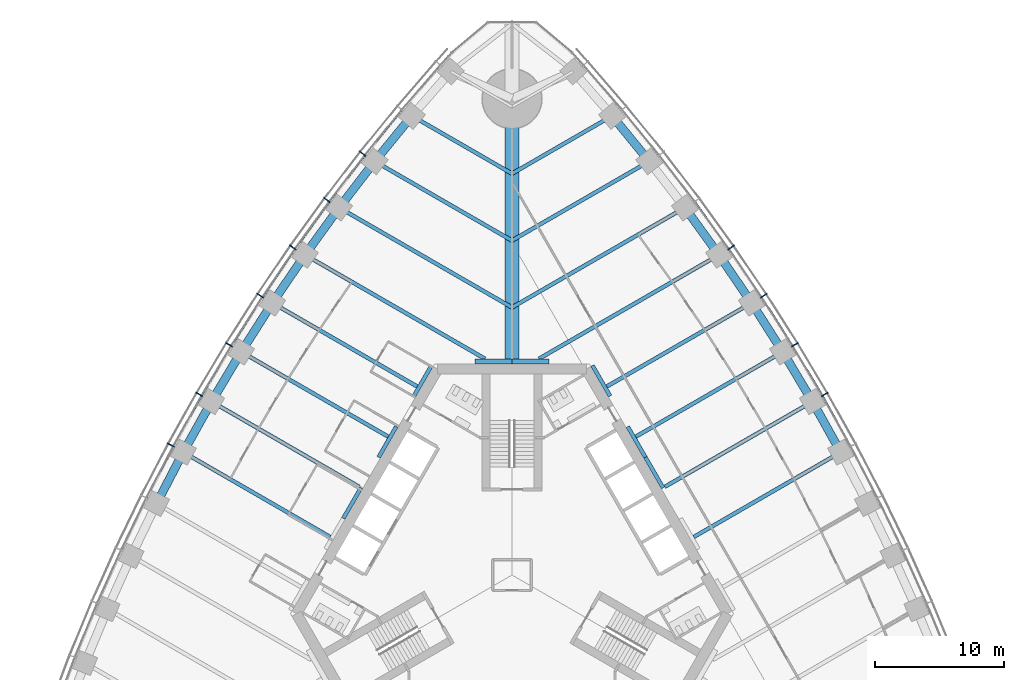
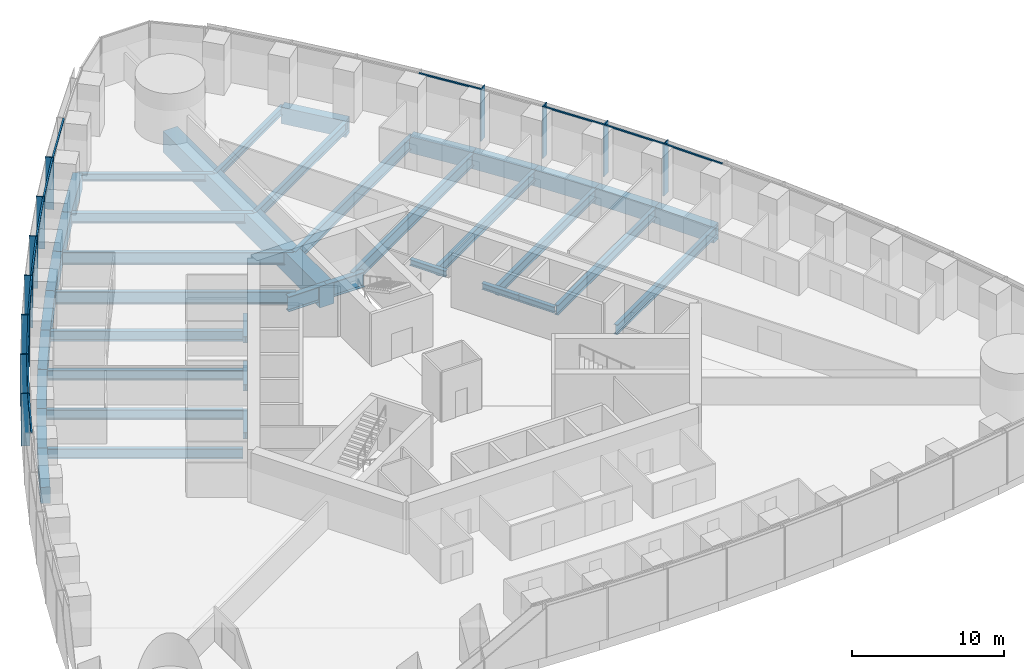
# One storey, part 4 of 18: 39 beams, 23 members, 2 elements without a shape of their own.
"""IFC4 building model written with IfcOpenShell, lengths in metres."""

from ifc_helpers import new_model, si_unit, direction, frame, origin, origin_2d, place, context, subcontext, project, spatial, rectangle, i_section, extrude, material, material_profile, profile_set, type_object, element, aggregate, save


model = new_model("IFC4")

# Units and contexts
model_context = context("Model", 3, precision=1e-05, world=origin(), true_north=direction((0.0, 1.0)))
body_context = subcontext(model_context, "Body", "Model", "MODEL_VIEW")
ifc_project = project(units=[si_unit("LENGTHUNIT", "METRE"), si_unit("AREAUNIT", "SQUARE_METRE"), si_unit("VOLUMEUNIT", "CUBIC_METRE"), si_unit("PLANEANGLEUNIT", "RADIAN"), si_unit("MASSUNIT", "GRAM", prefix="KILO")], contexts=[model_context])

# Site, building, storey
site_placement = place(None, origin())
site = spatial("IfcSite", under=ifc_project, at=site_placement, CompositionType="ELEMENT")
building_placement = place(site_placement, origin())
building = spatial("IfcBuilding", under=site, at=building_placement, Name="Trefoil Bronze Tower", CompositionType="ELEMENT")
storey_placement = place(building_placement, frame((0.0, 0.0, 41.699951171875)))
storey = spatial("IfcBuildingStorey", under=building, at=storey_placement, Name="L09", CompositionType="ELEMENT", Elevation=41.699951171875)

# Curtain wall, members
ifc_material_1 = material(Name="Tinted solar-control glass", Category="glass")
curtain_wall_type = type_object("IfcCurtainWallType", Name="Bronze office curtain wall", PredefinedType="USERDEFINED", material=ifc_material_1)
curtain_wall_1_placement = place(storey_placement, origin())
curtain_wall_1 = element("IfcCurtainWall", 1, at=curtain_wall_1_placement, inside=storey, type_object=curtain_wall_type, Name="CW-A L09 F2", ObjectType="CURTAIN WALL", PredefinedType="USERDEFINED")
ifc_material_2 = material(Name="Bronze-finish aluminium", Category="aluminium")
ifc_material_profile_1 = material_profile(ifc_material_2, rectangle(XDim=0.60009765625, YDim=0.080078125, at=origin_2d()), Name="CW-A mullion")
ifc_profile_set_1 = profile_set([ifc_material_profile_1], Name="Bronze-finish aluminium")
member_type_1 = type_object("IfcMemberType", Name="Bronze office curtain wall mullion", PredefinedType="MULLION", material=ifc_profile_set_1)
member_1_placement = place(storey_placement, frame((24.291015625, 14.0244140625, 0.0), z_axis=(0.0, 0.0, 1.0), x_axis=(-0.866025403784, -0.5, 0.0)))
member_1 = element("IfcMember", 2, at=member_1_placement, type_object=member_type_1, Name="CW-A L09 F2 mullion 9", PredefinedType="MULLION", context=body_context, shape_type="SweptSolid", body=[
    extrude(rectangle(XDim=0.60009765625, YDim=0.080078125, at=origin_2d()), origin(), (0.0, 0.0, 1.0), 4.179931640625),
])
member_2_placement = place(storey_placement, frame((21.97998046875, 17.896240234375, 0.0), z_axis=(0.0, 0.0, 1.0), x_axis=(-0.851149783004, -0.524922896141, 0.0)))
member_2 = element("IfcMember", 3, at=member_2_placement, type_object=member_type_1, Name="CW-A L09 F2 mullion 10", PredefinedType="MULLION", context=body_context, shape_type="SweptSolid", body=[
    extrude(rectangle(XDim=0.60009765625, YDim=0.080078125, at=origin_2d()), origin(), (0.0, 0.0, 1.0), 4.179931640625),
])
member_3_placement = place(storey_placement, frame((19.555419921875, 21.70263671875, 0.0), z_axis=(0.0, 0.0, 1.0), x_axis=(-0.835543651684, -0.549424067665, 0.0)))
member_3 = element("IfcMember", 4, at=member_3_placement, type_object=member_type_1, Name="CW-A L09 F2 mullion 11", PredefinedType="MULLION", context=body_context, shape_type="SweptSolid", body=[
    extrude(rectangle(XDim=0.60009765625, YDim=0.080078125, at=origin_2d()), origin(), (0.0, 0.0, 1.0), 4.179931640625),
])
member_4_placement = place(storey_placement, frame((17.01708984375, 25.443359375, 0.0), z_axis=(0.0, 0.0, 1.0), x_axis=(-0.819204207116, -0.573501932903, 0.0)))
member_4 = element("IfcMember", 5, at=member_4_placement, type_object=member_type_1, Name="CW-A L09 F2 mullion 12", PredefinedType="MULLION", context=body_context, shape_type="SweptSolid", body=[
    extrude(rectangle(XDim=0.60009765625, YDim=0.080078125, at=origin_2d()), origin(), (0.0, 0.0, 1.0), 4.179931640625),
])

curtain_wall_2_placement = place(storey_placement, origin())
curtain_wall_2 = element("IfcCurtainWall", 6, at=curtain_wall_2_placement, inside=storey, type_object=curtain_wall_type, Name="CW-A L09 F3", ObjectType="CURTAIN WALL", PredefinedType="USERDEFINED")
member_5_placement = place(storey_placement, frame((-11.595458984375, 32.7255859375, 0.0), z_axis=(0.0, 0.0, 1.0), x_axis=(0.784304615744, -0.620375910011, 0.0)))
member_5 = element("IfcMember", 7, at=member_5_placement, type_object=member_type_1, Name="CW-A L09 F3 mullion 4", PredefinedType="MULLION", context=body_context, shape_type="SweptSolid", body=[
    extrude(rectangle(XDim=0.60009765625, YDim=0.080078125, at=origin_2d()), origin(), (0.0, 0.0, 1.0), 4.179931640625),
])
member_6_placement = place(storey_placement, frame((-14.364013671875, 29.117919921875, 0.0), z_axis=(0.0, 0.0, 1.0), x_axis=(0.802126748469, -0.59715381552, 0.0)))
member_6 = element("IfcMember", 8, at=member_6_placement, type_object=member_type_1, Name="CW-A L09 F3 mullion 5", PredefinedType="MULLION", context=body_context, shape_type="SweptSolid", body=[
    extrude(rectangle(XDim=0.60009765625, YDim=0.080078125, at=origin_2d()), origin(), (0.0, 0.0, 1.0), 4.179931640625),
])
member_7_placement = place(storey_placement, frame((-17.01708984375, 25.443359375, 0.0), z_axis=(0.0, 0.0, 1.0), x_axis=(0.819204207116, -0.573501932903, 0.0)))
member_7 = element("IfcMember", 9, at=member_7_placement, type_object=member_type_1, Name="CW-A L09 F3 mullion 6", PredefinedType="MULLION", context=body_context, shape_type="SweptSolid", body=[
    extrude(rectangle(XDim=0.60009765625, YDim=0.080078125, at=origin_2d()), origin(), (0.0, 0.0, 1.0), 4.179931640625),
])
member_8_placement = place(storey_placement, frame((-19.555419921875, 21.70263671875, 0.0), z_axis=(0.0, 0.0, 1.0), x_axis=(0.835543651684, -0.549424067665, 0.0)))
member_8 = element("IfcMember", 10, at=member_8_placement, type_object=member_type_1, Name="CW-A L09 F3 mullion 7", PredefinedType="MULLION", context=body_context, shape_type="SweptSolid", body=[
    extrude(rectangle(XDim=0.60009765625, YDim=0.080078125, at=origin_2d()), origin(), (0.0, 0.0, 1.0), 4.179931640625),
])
member_9_placement = place(storey_placement, frame((-21.97998046875, 17.896240234375, 0.0), z_axis=(0.0, 0.0, 1.0), x_axis=(0.851149783004, -0.524922896141, 0.0)))
member_9 = element("IfcMember", 11, at=member_9_placement, type_object=member_type_1, Name="CW-A L09 F3 mullion 8", PredefinedType="MULLION", context=body_context, shape_type="SweptSolid", body=[
    extrude(rectangle(XDim=0.60009765625, YDim=0.080078125, at=origin_2d()), origin(), (0.0, 0.0, 1.0), 4.179931640625),
])
member_10_placement = place(storey_placement, frame((-24.291015625, 14.0244140625, 0.0), z_axis=(0.0, 0.0, 1.0), x_axis=(0.866025403784, -0.5, 0.0)))
member_10 = element("IfcMember", 12, at=member_10_placement, type_object=member_type_1, Name="CW-A L09 F3 mullion 9", PredefinedType="MULLION", context=body_context, shape_type="SweptSolid", body=[
    extrude(rectangle(XDim=0.60009765625, YDim=0.080078125, at=origin_2d()), origin(), (0.0, 0.0, 1.0), 4.179931640625),
])
member_11_placement = place(storey_placement, frame((-26.488525390625, 10.0869140625, 0.0), z_axis=(0.0, 0.0, 1.0), x_axis=(0.880171454588, -0.474655886437, 0.0)))
member_11 = element("IfcMember", 13, at=member_11_placement, type_object=member_type_1, Name="CW-A L09 F3 mullion 10", PredefinedType="MULLION", context=body_context, shape_type="SweptSolid", body=[
    extrude(rectangle(XDim=0.60009765625, YDim=0.080078125, at=origin_2d()), origin(), (0.0, 0.0, 1.0), 4.179931640625),
])

# Member
ifc_material_3 = material(Name="Bronze-finish aluminium", Category="aluminium")
ifc_material_profile_2 = material_profile(ifc_material_3, rectangle(XDim=0.1201171875, YDim=0.10009765625, at=origin_2d()), Name="CW-A transom")
ifc_profile_set_2 = profile_set([ifc_material_profile_2], Name="Bronze-finish aluminium")
member_type_2 = type_object("IfcMemberType", Name="Bronze office curtain wall transom", PredefinedType="USERDEFINED", material=ifc_profile_set_2)
member_12_placement = place(storey_placement, frame((26.29248046875, 10.0283203125, 4.130126953125), z_axis=(-0.487400435348, 0.873178570295, 0.0), x_axis=(-0.873178570295, -0.487400435348, 0.0)))
member_12 = element("IfcMember", 14, at=member_12_placement, type_object=member_type_2, Name="CW-A L09 F2 transom 8", ObjectType="TRANSOM", PredefinedType="USERDEFINED", context=body_context, shape_type="SweptSolid", body=[
    extrude(rectangle(XDim=0.1201171875, YDim=0.10009765625, at=origin_2d()), origin(), (0.0, 0.0, 1.0), 4.42041015625),
])

member_13_placement = place(storey_placement, frame((24.096435546875, 13.9599609375, 4.130126953125), z_axis=(-0.512536988879, 0.858665147209, 0.0), x_axis=(-0.858665147209, -0.512536988879, 0.0)))
member_13 = element("IfcMember", 15, at=member_13_placement, type_object=member_type_2, Name="CW-A L09 F2 transom 9", ObjectType="TRANSOM", PredefinedType="USERDEFINED", context=body_context, shape_type="SweptSolid", body=[
    extrude(rectangle(XDim=0.1201171875, YDim=0.10009765625, at=origin_2d()), origin(), (0.0, 0.0, 1.0), 4.42041015625),
])

member_14_placement = place(storey_placement, frame((21.787353515625, 17.826171875, 4.130126953125), z_axis=(-0.537196807268, 0.843456928515, 0.0), x_axis=(-0.843456928515, -0.537196807268, 0.0)))
member_14 = element("IfcMember", 16, at=member_14_placement, type_object=member_type_2, Name="CW-A L09 F2 transom 10", ObjectType="TRANSOM", PredefinedType="USERDEFINED", context=body_context, shape_type="SweptSolid", body=[
    extrude(rectangle(XDim=0.1201171875, YDim=0.10009765625, at=origin_2d()), origin(), (0.0, 0.0, 1.0), 4.42431640625),
])

member_15_placement = place(storey_placement, frame((16.828857421875, 25.3623046875, 4.130126953125), z_axis=(-0.585378207433, 0.81076035563, 0.0), x_axis=(-0.81076035563, -0.585378207433, 0.0)))
member_15 = element("IfcMember", 17, at=member_15_placement, type_object=member_type_2, Name="CW-A L09 F2 transom 12", ObjectType="TRANSOM", PredefinedType="USERDEFINED", context=body_context, shape_type="SweptSolid", body=[
    extrude(rectangle(XDim=0.1201171875, YDim=0.10009765625, at=origin_2d()), origin(), (0.0, 0.0, 1.0), 4.443359375),
])

aggregate(curtain_wall_1, [member_1, member_2, member_3, member_4, member_12, member_13, member_14, member_15])

member_16_placement = place(storey_placement, frame((-8.582763671875, 36.10498046875, 4.130126953125), z_axis=(-0.631835540201, -0.775102477185, 0.0), x_axis=(0.775102477185, -0.631835540201, 0.0)))
member_16 = element("IfcMember", 18, at=member_16_placement, type_object=member_type_2, Name="CW-A L09 F3 transom 3", ObjectType="TRANSOM", PredefinedType="USERDEFINED", context=body_context, shape_type="SweptSolid", body=[
    extrude(rectangle(XDim=0.1201171875, YDim=0.10009765625, at=origin_2d()), origin(), (0.0, 0.0, 1.0), 4.478271484375),
])

member_17_placement = place(storey_placement, frame((-11.4638671875, 32.568603515625, 4.130126953125), z_axis=(-0.608829203216, -0.793301330713, 0.0), x_axis=(0.793301330713, -0.608829203216, 0.0)))
member_17 = element("IfcMember", 19, at=member_17_placement, type_object=member_type_2, Name="CW-A L09 F3 transom 4", ObjectType="TRANSOM", PredefinedType="USERDEFINED", context=body_context, shape_type="SweptSolid", body=[
    extrude(rectangle(XDim=0.1201171875, YDim=0.10009765625, at=origin_2d()), origin(), (0.0, 0.0, 1.0), 4.458740234375),
])

member_18_placement = place(storey_placement, frame((-14.227783203125, 28.96484375, 4.130126953125), z_axis=(-0.585378207433, -0.81076035563, 0.0), x_axis=(0.81076035563, -0.585378207433, 0.0)))
member_18 = element("IfcMember", 20, at=member_18_placement, type_object=member_type_2, Name="CW-A L09 F3 transom 5", ObjectType="TRANSOM", PredefinedType="USERDEFINED", context=body_context, shape_type="SweptSolid", body=[
    extrude(rectangle(XDim=0.1201171875, YDim=0.10009765625, at=origin_2d()), origin(), (0.0, 0.0, 1.0), 4.443359375),
])

member_19_placement = place(storey_placement, frame((-16.87646484375, 25.29443359375, 4.130126953125), z_axis=(-0.561508153923, -0.827471203775, 0.0), x_axis=(0.827471203775, -0.561508153923, 0.0)))
member_19 = element("IfcMember", 21, at=member_19_placement, type_object=member_type_2, Name="CW-A L09 F3 transom 6", ObjectType="TRANSOM", PredefinedType="USERDEFINED", context=body_context, shape_type="SweptSolid", body=[
    extrude(rectangle(XDim=0.1201171875, YDim=0.10009765625, at=origin_2d()), origin(), (0.0, 0.0, 1.0), 4.431884765625),
])

member_20_placement = place(storey_placement, frame((-19.41064453125, 21.557861328125, 4.130126953125), z_axis=(-0.537196807268, -0.843456928515, 0.0), x_axis=(0.843456928515, -0.537196807268, 0.0)))
member_20 = element("IfcMember", 22, at=member_20_placement, type_object=member_type_2, Name="CW-A L09 F3 transom 7", ObjectType="TRANSOM", PredefinedType="USERDEFINED", context=body_context, shape_type="SweptSolid", body=[
    extrude(rectangle(XDim=0.1201171875, YDim=0.10009765625, at=origin_2d()), origin(), (0.0, 0.0, 1.0), 4.42431640625),
])

member_21_placement = place(storey_placement, frame((-21.830810546875, 17.755615234375, 4.130126953125), z_axis=(-0.512536988879, -0.858665147209, 0.0), x_axis=(0.858665147209, -0.512536988879, 0.0)))
member_21 = element("IfcMember", 23, at=member_21_placement, type_object=member_type_2, Name="CW-A L09 F3 transom 8", ObjectType="TRANSOM", PredefinedType="USERDEFINED", context=body_context, shape_type="SweptSolid", body=[
    extrude(rectangle(XDim=0.1201171875, YDim=0.10009765625, at=origin_2d()), origin(), (0.0, 0.0, 1.0), 4.42041015625),
])

member_22_placement = place(storey_placement, frame((-24.137939453125, 13.88818359375, 4.130126953125), z_axis=(-0.487400435348, -0.873178570295, 0.0), x_axis=(0.873178570295, -0.487400435348, 0.0)))
member_22 = element("IfcMember", 24, at=member_22_placement, type_object=member_type_2, Name="CW-A L09 F3 transom 9", ObjectType="TRANSOM", PredefinedType="USERDEFINED", context=body_context, shape_type="SweptSolid", body=[
    extrude(rectangle(XDim=0.1201171875, YDim=0.10009765625, at=origin_2d()), origin(), (0.0, 0.0, 1.0), 4.42041015625),
])

member_23_placement = place(storey_placement, frame((-26.331787109375, 9.955322265625, 4.130126953125), z_axis=(-0.461809621225, -0.886979071762, 0.0), x_axis=(0.886979071762, -0.461809621225, 0.0)))
member_23 = element("IfcMember", 25, at=member_23_placement, type_object=member_type_2, Name="CW-A L09 F3 transom 10", ObjectType="TRANSOM", PredefinedType="USERDEFINED", context=body_context, shape_type="SweptSolid", body=[
    extrude(rectangle(XDim=0.1201171875, YDim=0.10009765625, at=origin_2d()), origin(), (0.0, 0.0, 1.0), 4.42431640625),
])

aggregate(curtain_wall_2, [member_5, member_6, member_7, member_8, member_9, member_10, member_11, member_16, member_17, member_18, member_19, member_20, member_21, member_22, member_23])

# Beams
ifc_material_4 = material(Name="Steel C355", Category="steel")
ifc_material_profile_3 = material_profile(ifc_material_4, i_section(OverallWidth=0.300048828125, OverallDepth=0.5, WebThickness=0.014404296875, FlangeThickness=0.028076171875, FilletRadius=0.027099609375, at=origin_2d()), Name="HEB 500")
ifc_profile_set_3 = profile_set([ifc_material_profile_3], Name="Steel C355")
beam_type_1 = type_object("IfcBeamType", Name="Core seat beam HEB 500", PredefinedType="BEAM", material=ifc_profile_set_3)
for number, where, z_axis, x_axis, name in (
    (26, (11.734619140625, 6.77490234375, -0.449951171875), (-0.499969057507, 0.866043267704, 0.0), (-0.866043267704, -0.499969057507, 0.0), "Core seat beam F2/+0 L09"),
    (27, (10.363525390625, 9.14990234375, -0.449951171875), (-0.500035825175, 0.866004719122, 0.0), (-0.866004719122, -0.500035825175, 0.0), "Core seat beam F2/+1 L09"),
    (28, (7.62109375, 13.89990234375, -0.449951171875), (-0.500035825175, 0.866004719122, 0.0), (-0.866004719122, -0.500035825175, 0.0), "Core seat beam F2/+2 L09"),
    (29, (-6.249755859375, 16.27490234375, -0.449951171875), (-0.500035825175, -0.866004719122, 0.0), (0.866004719122, -0.500035825175, 0.0), "Core seat beam F3/-2 L09"),
    (30, (-8.9921875, 11.52490234375, -0.449951171875), (-0.500035825175, -0.866004719122, 0.0), (0.866004719122, -0.500035825175, 0.0), "Core seat beam F3/-1 L09"),
    (31, (-11.734619140625, 6.77490234375, -0.449951171875), (-0.500035825175, -0.866004719122, 0.0), (0.866004719122, -0.500035825175, 0.0), "Core seat beam F3/+0 L09"),
):
    element("IfcBeam", number, at=place(storey_placement, frame(where, z_axis=z_axis, x_axis=x_axis)), inside=storey, type_object=beam_type_1, Name=name, PredefinedType="BEAM", context=body_context, shape_type="SweptSolid", body=[
        extrude(i_section(OverallWidth=0.300048828125, OverallDepth=0.5, WebThickness=0.014404296875, FlangeThickness=0.028076171875, FilletRadius=0.027099609375, at=origin_2d()), origin(), (0.0, 0.0, 1.0), 2.742431640625),
    ])
ifc_material_5 = material(Name="Steel C355", Category="steel")
ifc_material_profile_4 = material_profile(ifc_material_5, i_section(OverallWidth=0.39990234375, OverallDepth=1.199951171875, WebThickness=0.02001953125, FlangeThickness=0.0400390625, FilletRadius=0.010009765625, at=origin_2d()), Name="WPG 1200")
ifc_profile_set_4 = profile_set([ifc_material_profile_4], Name="Steel C355")
beam_type_2 = type_object("IfcBeamType", Name="Core seat beam WPG 1200", PredefinedType="BEAM", material=ifc_profile_set_4)
for number, where, z_axis, x_axis, name in (
    (32, (2.88671875, 16.60009765625, -0.800048828125), (-1.0, 0.0, 0.0), (0.0, -1.0, 0.0), "Core seat beam F2/+3 L09"),
    (33, (0.0, 16.60009765625, -0.800048828125), (-1.0, 0.0, 0.0), (0.0, -1.0, 0.0), "Core seat beam F3/-3 L09"),
):
    element("IfcBeam", number, at=place(storey_placement, frame(where, z_axis=z_axis, x_axis=x_axis)), inside=storey, type_object=beam_type_2, Name=name, PredefinedType="BEAM", context=body_context, shape_type="SweptSolid", body=[
        extrude(i_section(OverallWidth=0.39990234375, OverallDepth=1.199951171875, WebThickness=0.02001953125, FlangeThickness=0.0400390625, FilletRadius=0.010009765625, at=origin_2d()), origin(), (0.0, 0.0, 1.0), 2.88671875),
    ])
ifc_material_6 = material(Name="Concrete B80", Category="concrete")
ifc_material_profile_5 = material_profile(ifc_material_6, rectangle(XDim=1.10009765625, YDim=1.699951171875, at=origin_2d()), Name="RC 1100x1700")
ifc_profile_set_5 = profile_set([ifc_material_profile_5], Name="Concrete B80")
beam_type_3 = type_object("IfcBeamType", Name="Corner girder RC 1100x1700", PredefinedType="BEAM", material=ifc_profile_set_5)
beam_1_placement = place(storey_placement, frame((0.0, 16.39990234375, -1.050048828125), z_axis=(0.0, 1.0, 0.0), x_axis=(-1.0, 0.0, 0.0)))
element("IfcBeam", 34, at=beam_1_placement, inside=storey, type_object=beam_type_3, Name="Corner girder K2 L09", PredefinedType="BEAM", context=body_context, shape_type="SweptSolid", body=[
    extrude(rectangle(XDim=1.10009765625, YDim=1.699951171875, at=origin_2d()), origin(), (0.0, 0.0, 1.0), 20.60009765625),
])
ifc_material_7 = material(Name="Steel C355", Category="steel")
ifc_material_profile_6 = material_profile(ifc_material_7, i_section(OverallWidth=0.300048828125, OverallDepth=0.590087890625, WebThickness=0.012939453125, FlangeThickness=0.02490234375, FilletRadius=0.027099609375, at=origin_2d()), Name="HEA 600")
ifc_profile_set_6 = profile_set([ifc_material_profile_6], Name="Steel C355")
beam_type_4 = type_object("IfcBeamType", Name="Floor beam HEA 600", PredefinedType="BEAM", material=ifc_profile_set_6)
for number, where, z_axis, x_axis, name in (
    (35, (7.7763671875, 35.666748046875, -0.494873046875), (-0.866022587327, -0.500004878216, 0.0), (0.500004878216, -0.866022587327, 0.0), "Floor beam F2/+6 L09"),
    (36, (-7.7763671875, 35.666748046875, -0.494873046875), (0.866022587327, -0.500004878216, 0.0), (0.500004878216, 0.866022587327, 0.0), "Floor beam F3/-6 L09"),
):
    element("IfcBeam", number, at=place(storey_placement, frame(where, z_axis=z_axis, x_axis=x_axis)), inside=storey, type_object=beam_type_4, Name=name, PredefinedType="BEAM", context=body_context, shape_type="SweptSolid", body=[
        extrude(i_section(OverallWidth=0.300048828125, OverallDepth=0.590087890625, WebThickness=0.012939453125, FlangeThickness=0.02490234375, FilletRadius=0.027099609375, at=origin_2d()), origin(), (0.0, 0.0, 1.0), 8.9794921875),
    ])
ifc_material_8 = material(Name="Steel C355", Category="steel")
ifc_material_profile_7 = material_profile(ifc_material_8, i_section(OverallWidth=0.300048828125, OverallDepth=1.0, WebThickness=0.01904296875, FlangeThickness=0.035888671875, FilletRadius=0.030029296875, at=origin_2d()), Name="HEB 1000")
ifc_profile_set_7 = profile_set([ifc_material_profile_7], Name="Steel C355")
beam_type_5 = type_object("IfcBeamType", Name="Floor beam HEB 1000", PredefinedType="BEAM", material=ifc_profile_set_7)
for number, where, z_axis, x_axis, name in (
    (37, (13.42578125, 28.5361328125, -0.699951171875), (-0.866022989816, -0.500004181093, 0.0), (0.500004181093, -0.866022989816, 0.0), "Floor beam F2/+4 L09"),
    (38, (-13.42578125, 28.5361328125, -0.699951171875), (0.866022989816, -0.500004181093, 0.0), (0.500004181093, 0.866022989816, 0.0), "Floor beam F3/-4 L09"),
):
    element("IfcBeam", number, at=place(storey_placement, frame(where, z_axis=z_axis, x_axis=x_axis)), inside=storey, type_object=beam_type_5, Name=name, PredefinedType="BEAM", context=body_context, shape_type="SweptSolid", body=[
        extrude(i_section(OverallWidth=0.300048828125, OverallDepth=1.0, WebThickness=0.01904296875, FlangeThickness=0.035888671875, FilletRadius=0.030029296875, at=origin_2d()), origin(), (0.0, 0.0, 1.0), 15.502685546875),
    ])
ifc_material_9 = material(Name="Steel C355", Category="steel")
ifc_material_profile_8 = material_profile(ifc_material_9, i_section(OverallWidth=0.300048828125, OverallDepth=0.800048828125, WebThickness=0.017578125, FlangeThickness=0.032958984375, FilletRadius=0.030029296875, at=origin_2d()), Name="HEB 800")
ifc_profile_set_8 = profile_set([ifc_material_profile_8], Name="Steel C355")
beam_type_6 = type_object("IfcBeamType", Name="Floor beam HEB 800", PredefinedType="BEAM", material=ifc_profile_set_8)
beam_2_placement = place(storey_placement, frame((25.531494140625, 9.54443359375, -0.599853515625), z_axis=(-0.866027071639, -0.499997111179, 0.0), x_axis=(0.499997111179, -0.866027071639, 0.0)))
element("IfcBeam", 39, at=beam_2_placement, inside=storey, type_object=beam_type_6, Name="Floor beam F2/-1 L09", PredefinedType="BEAM", context=body_context, shape_type="SweptSolid", body=[
    extrude(i_section(OverallWidth=0.300048828125, OverallDepth=0.800048828125, WebThickness=0.017578125, FlangeThickness=0.032958984375, FilletRadius=0.030029296875, at=origin_2d()), origin(), (0.0, 0.0, 1.0), 13.18310546875),
])
beam_3_placement = place(storey_placement, frame((23.33837890625, 13.474365234375, -0.599853515625), z_axis=(-0.866031233401, -0.499989902672, 0.0), x_axis=(0.499989902672, -0.866031233401, 0.0)))
element("IfcBeam", 40, at=beam_3_placement, inside=storey, type_object=beam_type_6, Name="Floor beam F2/+0 L09", PredefinedType="BEAM", context=body_context, shape_type="SweptSolid", body=[
    extrude(i_section(OverallWidth=0.300048828125, OverallDepth=0.800048828125, WebThickness=0.017578125, FlangeThickness=0.032958984375, FilletRadius=0.030029296875, at=origin_2d()), origin(), (0.0, 0.0, 1.0), 13.248779296875),
])
beam_4_placement = place(storey_placement, frame((21.031494140625, 17.338623046875, -0.599853515625), z_axis=(-0.866027071639, -0.499997111179, 0.0), x_axis=(0.499997111179, -0.866027071639, 0.0)))
element("IfcBeam", 41, at=beam_4_placement, inside=storey, type_object=beam_type_6, Name="Floor beam F2/+1 L09", PredefinedType="BEAM", context=body_context, shape_type="SweptSolid", body=[
    extrude(i_section(OverallWidth=0.300048828125, OverallDepth=0.800048828125, WebThickness=0.017578125, FlangeThickness=0.032958984375, FilletRadius=0.030029296875, at=origin_2d()), origin(), (0.0, 0.0, 1.0), 13.18310546875),
])
beam_5_placement = place(storey_placement, frame((18.61083984375, 21.13720703125, -0.599853515625), z_axis=(-0.866030615021, -0.499990973765, 0.0), x_axis=(0.499990973765, -0.866030615021, 0.0)))
element("IfcBeam", 42, at=beam_5_placement, inside=storey, type_object=beam_type_6, Name="Floor beam F2/+2 L09", PredefinedType="BEAM", context=body_context, shape_type="SweptSolid", body=[
    extrude(i_section(OverallWidth=0.300048828125, OverallDepth=0.800048828125, WebThickness=0.017578125, FlangeThickness=0.032958984375, FilletRadius=0.030029296875, at=origin_2d()), origin(), (0.0, 0.0, 1.0), 12.986083984375),
])
for number, where, z_axis, x_axis, name in (
    (43, (10.659912109375, 32.13525390625, -0.599853515625), (-0.866024070878, -0.500002308654, 0.0), (0.500002308654, -0.866024070878, 0.0), "Floor beam F2/+5 L09"),
    (44, (-10.659912109375, 32.13525390625, -0.599853515625), (0.866024070878, -0.500002308654, 0.0), (0.500002308654, 0.866024070878, 0.0), "Floor beam F3/-5 L09"),
):
    element("IfcBeam", number, at=place(storey_placement, frame(where, z_axis=z_axis, x_axis=x_axis)), inside=storey, type_object=beam_type_6, Name=name, PredefinedType="BEAM", context=body_context, shape_type="SweptSolid", body=[
        extrude(i_section(OverallWidth=0.300048828125, OverallDepth=0.800048828125, WebThickness=0.017578125, FlangeThickness=0.032958984375, FilletRadius=0.030029296875, at=origin_2d()), origin(), (0.0, 0.0, 1.0), 12.30908203125),
    ])
beam_6_placement = place(storey_placement, frame((-18.61083984375, 21.13720703125, -0.599853515625), z_axis=(0.866030615021, -0.499990973765, 0.0), x_axis=(0.499990973765, 0.866030615021, 0.0)))
element("IfcBeam", 45, at=beam_6_placement, inside=storey, type_object=beam_type_6, Name="Floor beam F3/-2 L09", PredefinedType="BEAM", context=body_context, shape_type="SweptSolid", body=[
    extrude(i_section(OverallWidth=0.300048828125, OverallDepth=0.800048828125, WebThickness=0.017578125, FlangeThickness=0.032958984375, FilletRadius=0.030029296875, at=origin_2d()), origin(), (0.0, 0.0, 1.0), 12.986083984375),
])
beam_7_placement = place(storey_placement, frame((-21.031494140625, 17.338623046875, -0.599853515625), z_axis=(0.866027071639, -0.499997111179, 0.0), x_axis=(0.499997111179, 0.866027071639, 0.0)))
element("IfcBeam", 46, at=beam_7_placement, inside=storey, type_object=beam_type_6, Name="Floor beam F3/-1 L09", PredefinedType="BEAM", context=body_context, shape_type="SweptSolid", body=[
    extrude(i_section(OverallWidth=0.300048828125, OverallDepth=0.800048828125, WebThickness=0.017578125, FlangeThickness=0.032958984375, FilletRadius=0.030029296875, at=origin_2d()), origin(), (0.0, 0.0, 1.0), 13.18310546875),
])
beam_8_placement = place(storey_placement, frame((-23.33837890625, 13.474365234375, -0.599853515625), z_axis=(0.866031233401, -0.499989902672, 0.0), x_axis=(0.499989902672, 0.866031233401, 0.0)))
element("IfcBeam", 47, at=beam_8_placement, inside=storey, type_object=beam_type_6, Name="Floor beam F3/+0 L09", PredefinedType="BEAM", context=body_context, shape_type="SweptSolid", body=[
    extrude(i_section(OverallWidth=0.300048828125, OverallDepth=0.800048828125, WebThickness=0.017578125, FlangeThickness=0.032958984375, FilletRadius=0.030029296875, at=origin_2d()), origin(), (0.0, 0.0, 1.0), 13.248779296875),
])
beam_9_placement = place(storey_placement, frame((-25.531494140625, 9.54443359375, -0.599853515625), z_axis=(0.866027071639, -0.499997111179, 0.0), x_axis=(0.499997111179, 0.866027071639, 0.0)))
element("IfcBeam", 48, at=beam_9_placement, inside=storey, type_object=beam_type_6, Name="Floor beam F3/+1 L09", PredefinedType="BEAM", context=body_context, shape_type="SweptSolid", body=[
    extrude(i_section(OverallWidth=0.300048828125, OverallDepth=0.800048828125, WebThickness=0.017578125, FlangeThickness=0.032958984375, FilletRadius=0.030029296875, at=origin_2d()), origin(), (0.0, 0.0, 1.0), 13.18310546875),
])
ifc_material_10 = material(Name="Steel C355", Category="steel")
ifc_material_profile_9 = material_profile(ifc_material_10, i_section(OverallWidth=0.302001953125, OverallDepth=1.008056640625, WebThickness=0.02099609375, FlangeThickness=0.0400390625, FilletRadius=0.030029296875, at=origin_2d()), Name="HEM 1000")
ifc_profile_set_9 = profile_set([ifc_material_profile_9], Name="Steel C355")
beam_type_7 = type_object("IfcBeamType", Name="Floor beam HEM 1000", PredefinedType="BEAM", material=ifc_profile_set_9)
for number, where, z_axis, x_axis, name in (
    (49, (16.075927734375, 24.869873046875, -0.703857421875), (-0.866028401131, -0.499994808408, 0.0), (0.499994808408, -0.866028401131, 0.0), "Floor beam F2/+3 L09"),
    (50, (-16.075927734375, 24.869873046875, -0.703857421875), (0.866028401131, -0.499994808408, 0.0), (0.499994808408, 0.866028401131, 0.0), "Floor beam F3/-3 L09"),
):
    element("IfcBeam", number, at=place(storey_placement, frame(where, z_axis=z_axis, x_axis=x_axis)), inside=storey, type_object=beam_type_7, Name=name, PredefinedType="BEAM", context=body_context, shape_type="SweptSolid", body=[
        extrude(i_section(OverallWidth=0.302001953125, OverallDepth=1.008056640625, WebThickness=0.02099609375, FlangeThickness=0.0400390625, FilletRadius=0.030029296875, at=origin_2d()), origin(), (0.0, 0.0, 1.0), 16.139892578125),
    ])
ifc_material_11 = material(Name="Concrete B80", Category="concrete")
ifc_material_profile_10 = material_profile(ifc_material_11, rectangle(XDim=0.64990234375, YDim=1.300048828125, at=origin_2d()), Name="RC 650x1300")
ifc_profile_set_10 = profile_set([ifc_material_profile_10], Name="Concrete B80")
beam_type_8 = type_object("IfcBeamType", Name="Spandrel beam RC 650x1300", PredefinedType="SPANDREL", material=ifc_profile_set_10)
for number, where, z_axis, x_axis, name in (
    (51, (25.531494140625, 9.54443359375, -0.849853515625), (-0.487309404804, 0.873229376504, 0.0), (-0.873229376504, -0.487309404804, 0.0), "Spandrel F2.8 L09"),
    (52, (23.33837890625, 13.474365234375, -0.849853515625), (-0.512587831591, 0.858634797166, 0.0), (-0.858634797166, -0.512587831591, 0.0), "Spandrel F2.9 L09"),
):
    element("IfcBeam", number, at=place(storey_placement, frame(where, z_axis=z_axis, x_axis=x_axis)), inside=storey, type_object=beam_type_8, Name=name, PredefinedType="SPANDREL", context=body_context, shape_type="SweptSolid", body=[
        extrude(rectangle(XDim=0.64990234375, YDim=1.300048828125, at=origin_2d()), origin(), (0.0, 0.0, 1.0), 4.50048828125),
    ])
beam_10_placement = place(storey_placement, frame((21.031494140625, 17.338623046875, -0.849853515625), z_axis=(-0.537408473305, 0.843322081307, 0.0), x_axis=(-0.843322081307, -0.537408473305, 0.0)))
element("IfcBeam", 53, at=beam_10_placement, inside=storey, type_object=beam_type_8, Name="Spandrel F2.10 L09", PredefinedType="SPANDREL", context=body_context, shape_type="SweptSolid", body=[
    extrude(rectangle(XDim=0.64990234375, YDim=1.300048828125, at=origin_2d()), origin(), (0.0, 0.0, 1.0), 4.50439453125),
])
beam_11_placement = place(storey_placement, frame((18.61083984375, 21.13720703125, -0.849853515625), z_axis=(-0.561809680291, 0.827266512758, 0.0), x_axis=(-0.827266512758, -0.561809680291, 0.0)))
element("IfcBeam", 54, at=beam_11_placement, inside=storey, type_object=beam_type_8, Name="Spandrel F2.11 L09", PredefinedType="SPANDREL", context=body_context, shape_type="SweptSolid", body=[
    extrude(rectangle(XDim=0.64990234375, YDim=1.300048828125, at=origin_2d()), origin(), (0.0, 0.0, 1.0), 4.511962890625),
])
beam_12_placement = place(storey_placement, frame((16.075927734375, 24.869873046875, -0.849853515625), z_axis=(-0.585823508301, 0.810438657223, 0.0), x_axis=(-0.810438657223, -0.585823508301, 0.0)))
element("IfcBeam", 55, at=beam_12_placement, inside=storey, type_object=beam_type_8, Name="Spandrel F2.12 L09", PredefinedType="SPANDREL", context=body_context, shape_type="SweptSolid", body=[
    extrude(rectangle(XDim=0.64990234375, YDim=1.300048828125, at=origin_2d()), origin(), (0.0, 0.0, 1.0), 4.523681640625),
])
for number, where, z_axis, x_axis, name in (
    (56, (10.659912109375, 32.13525390625, -0.849853515625), (-0.632467643363, 0.774586780225, 0.0), (-0.774586780225, -0.632467643363, 0.0), "Spandrel F2.14 L09"),
    (57, (-7.7763671875, 35.666748046875, -0.849853515625), (-0.632467643363, -0.774586780225, 0.0), (0.774586780225, -0.632467643363, 0.0), "Spandrel F3.3 L09"),
):
    element("IfcBeam", number, at=place(storey_placement, frame(where, z_axis=z_axis, x_axis=x_axis)), inside=storey, type_object=beam_type_8, Name=name, PredefinedType="SPANDREL", context=body_context, shape_type="SweptSolid", body=[
        extrude(rectangle(XDim=0.64990234375, YDim=1.300048828125, at=origin_2d()), origin(), (0.0, 0.0, 1.0), 4.55908203125),
    ])
beam_13_placement = place(storey_placement, frame((-10.659912109375, 32.13525390625, -0.849853515625), z_axis=(-0.609338992146, -0.792909826305, 0.0), x_axis=(0.792909826305, -0.609338992146, 0.0)))
element("IfcBeam", 58, at=beam_13_placement, inside=storey, type_object=beam_type_8, Name="Spandrel F3.4 L09", PredefinedType="SPANDREL", context=body_context, shape_type="SweptSolid", body=[
    extrude(rectangle(XDim=0.64990234375, YDim=1.300048828125, at=origin_2d()), origin(), (0.0, 0.0, 1.0), 4.5390625),
])
beam_14_placement = place(storey_placement, frame((-13.42578125, 28.5361328125, -0.849853515625), z_axis=(-0.585823508301, -0.810438657223, 0.0), x_axis=(0.810438657223, -0.585823508301, 0.0)))
element("IfcBeam", 59, at=beam_14_placement, inside=storey, type_object=beam_type_8, Name="Spandrel F3.5 L09", PredefinedType="SPANDREL", context=body_context, shape_type="SweptSolid", body=[
    extrude(rectangle(XDim=0.64990234375, YDim=1.300048828125, at=origin_2d()), origin(), (0.0, 0.0, 1.0), 4.523681640625),
])
beam_15_placement = place(storey_placement, frame((-16.075927734375, 24.869873046875, -0.849853515625), z_axis=(-0.561809680291, -0.827266512758, 0.0), x_axis=(0.827266512758, -0.561809680291, 0.0)))
element("IfcBeam", 60, at=beam_15_placement, inside=storey, type_object=beam_type_8, Name="Spandrel F3.6 L09", PredefinedType="SPANDREL", context=body_context, shape_type="SweptSolid", body=[
    extrude(rectangle(XDim=0.64990234375, YDim=1.300048828125, at=origin_2d()), origin(), (0.0, 0.0, 1.0), 4.511962890625),
])
beam_16_placement = place(storey_placement, frame((-18.61083984375, 21.13720703125, -0.849853515625), z_axis=(-0.537408473305, -0.843322081307, 0.0), x_axis=(0.843322081307, -0.537408473305, 0.0)))
element("IfcBeam", 61, at=beam_16_placement, inside=storey, type_object=beam_type_8, Name="Spandrel F3.7 L09", PredefinedType="SPANDREL", context=body_context, shape_type="SweptSolid", body=[
    extrude(rectangle(XDim=0.64990234375, YDim=1.300048828125, at=origin_2d()), origin(), (0.0, 0.0, 1.0), 4.50439453125),
])
for number, where, z_axis, x_axis, name in (
    (62, (-21.031494140625, 17.338623046875, -0.849853515625), (-0.512587831591, -0.858634797166, 0.0), (0.858634797166, -0.512587831591, 0.0), "Spandrel F3.8 L09"),
    (63, (-23.33837890625, 13.474365234375, -0.849853515625), (-0.487309404804, -0.873229376504, 0.0), (0.873229376504, -0.487309404804, 0.0), "Spandrel F3.9 L09"),
):
    element("IfcBeam", number, at=place(storey_placement, frame(where, z_axis=z_axis, x_axis=x_axis)), inside=storey, type_object=beam_type_8, Name=name, PredefinedType="SPANDREL", context=body_context, shape_type="SweptSolid", body=[
        extrude(rectangle(XDim=0.64990234375, YDim=1.300048828125, at=origin_2d()), origin(), (0.0, 0.0, 1.0), 4.50048828125),
    ])
beam_17_placement = place(storey_placement, frame((-25.531494140625, 9.54443359375, -0.849853515625), z_axis=(-0.461637716615, -0.887068553495, 0.0), x_axis=(0.887068553495, -0.461637716615, 0.0)))
element("IfcBeam", 64, at=beam_17_placement, inside=storey, type_object=beam_type_8, Name="Spandrel F3.10 L09", PredefinedType="SPANDREL", context=body_context, shape_type="SweptSolid", body=[
    extrude(rectangle(XDim=0.64990234375, YDim=1.300048828125, at=origin_2d()), origin(), (0.0, 0.0, 1.0), 4.50439453125),
])

save(model, "model.ifc")
